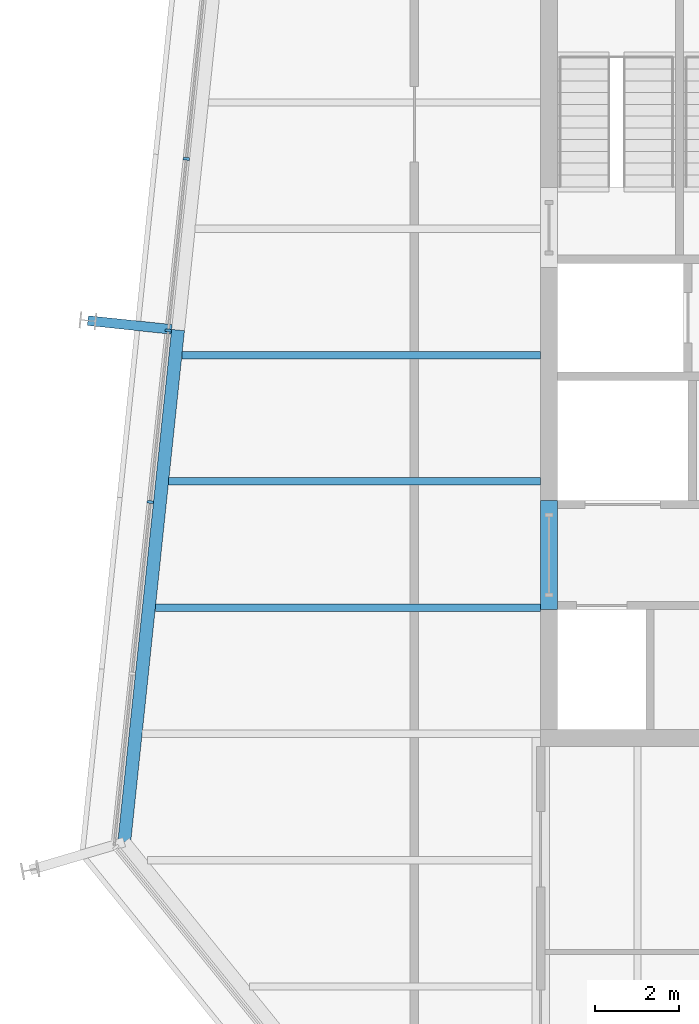
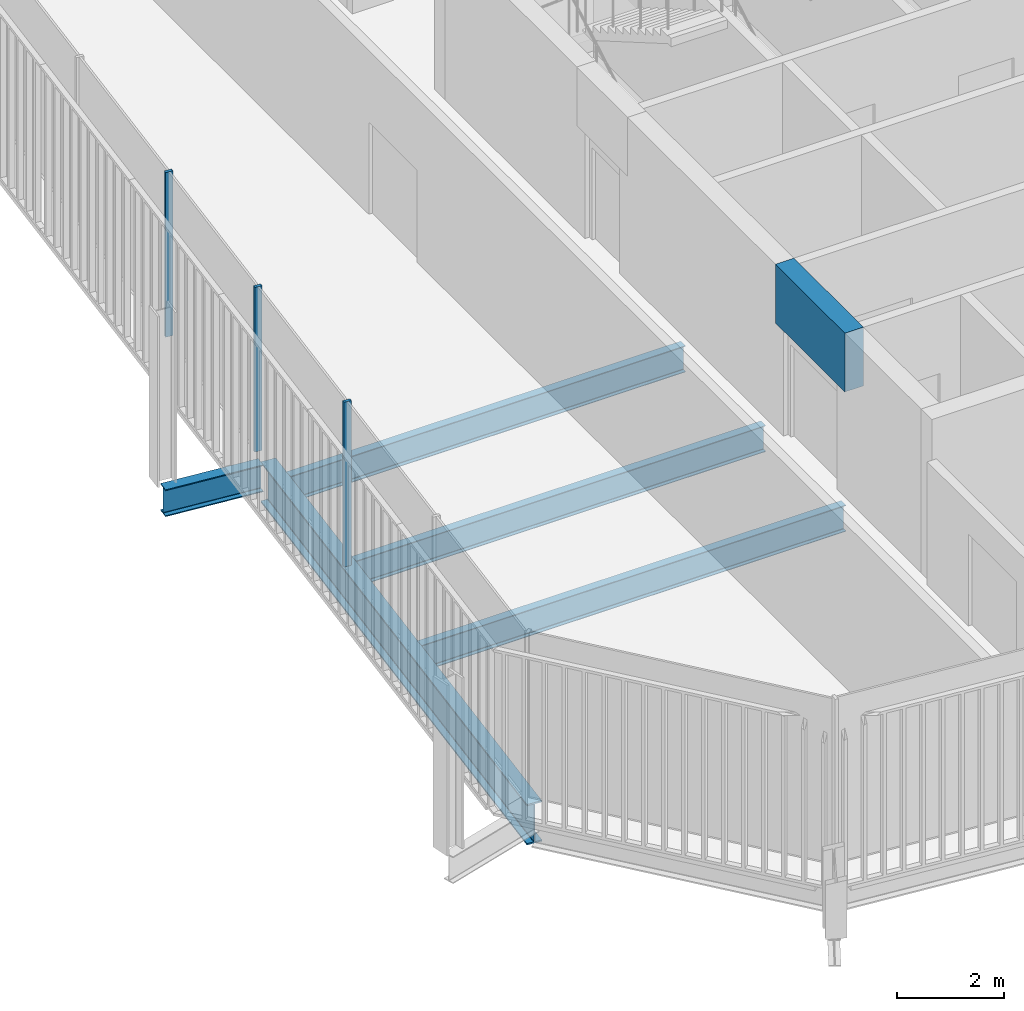
# One storey, part 6 of 20: 6 beams, 3 members, 1 element without a shape of its own.
"""IFC4 building model written with IfcOpenShell, lengths in metres."""

from ifc_helpers import new_model, si_unit, direction, frame, origin, origin_2d, place, context, subcontext, project, spatial, rectangle, i_section, extrude, material, layer, layer_set, material_profile, profile_set, type_object, element, aggregate, save


model = new_model("IFC4")

# Units and contexts
model_context = context("Model", 3, precision=1e-05, world=origin(), true_north=direction((0.0, 1.0)))
body_context = subcontext(model_context, "Body", "Model", "MODEL_VIEW")
ifc_project = project(units=[si_unit("LENGTHUNIT", "METRE"), si_unit("AREAUNIT", "SQUARE_METRE"), si_unit("VOLUMEUNIT", "CUBIC_METRE"), si_unit("PLANEANGLEUNIT", "RADIAN"), si_unit("MASSUNIT", "GRAM", prefix="KILO")], contexts=[model_context])

# Site, building, storey
site_placement = place(None, origin())
site = spatial("IfcSite", under=ifc_project, at=site_placement, CompositionType="ELEMENT")
building_placement = place(site_placement, origin())
building = spatial("IfcBuilding", under=site, at=building_placement, Name="Millrace Tower", CompositionType="ELEMENT")
storey_placement = place(building_placement, frame((0.0, 0.0, 279.89990234375)))
storey = spatial("IfcBuildingStorey", under=building, at=storey_placement, Name="L64", CompositionType="ELEMENT", Elevation=279.89990234375)

# Curtain wall, members
ifc_material_1 = material(Name="Aluminium and glass", Category="aluminium")
ifc_layer = layer(ifc_material_1, 0.14990234375)
ifc_layer_set = layer_set([ifc_layer], Name="Aluminium and glass")
curtain_wall_type = type_object("IfcCurtainWallType", Name="CW-1 office vision curtain wall", PredefinedType="NOTDEFINED", material=ifc_layer_set)
curtain_wall_placement = place(storey_placement, origin())
curtain_wall = element("IfcCurtainWall", 1, at=curtain_wall_placement, inside=storey, type_object=curtain_wall_type, Name="Curtain wall E-F08 L64", PredefinedType="NOTDEFINED")
ifc_material_2 = material(Name="Aluminium", Category="aluminium")
ifc_material_profile_1 = material_profile(ifc_material_2, rectangle(XDim=0.06494140625, YDim=0.14990234375, at=origin_2d()))
ifc_profile_set_1 = profile_set([ifc_material_profile_1], Name="Aluminium")
member_type = type_object("IfcMemberType", Name="CW-1 office vision curtain wall mullion", PredefinedType="MULLION", material=ifc_profile_set_1)
member_1_placement = place(storey_placement, frame((-22.717529296875, 4.664794921875, 0.14013671875), z_axis=(0.0, 0.0, 1.0), x_axis=(-0.104528455196, -0.994521896217, 0.0)))
member_1 = element("IfcMember", 2, at=member_1_placement, type_object=member_type, Name="CW1 mullion E-F08.6", PredefinedType="MULLION", context=body_context, shape_type="SweptSolid", body=[
    extrude(rectangle(XDim=0.06494140625, YDim=0.14990234375, at=origin_2d()), origin(), (0.0, 0.0, 1.0), 3.760009765625),
])
member_2_placement = place(storey_placement, frame((-23.146240234375, 0.587158203125, 0.14013671875), z_axis=(0.0, 0.0, 1.0), x_axis=(-0.104528455196, -0.994521896217, 0.0)))
member_2 = element("IfcMember", 3, at=member_2_placement, type_object=member_type, Name="CW1 mullion E-F08.7", PredefinedType="MULLION", context=body_context, shape_type="SweptSolid", body=[
    extrude(rectangle(XDim=0.06494140625, YDim=0.14990234375, at=origin_2d()), origin(), (0.0, 0.0, 1.0), 3.760009765625),
])
member_3_placement = place(storey_placement, frame((-23.57470703125, -3.490234375, 0.14013671875), z_axis=(0.0, 0.0, 1.0), x_axis=(-0.104528455196, -0.994521896217, 0.0)))
member_3 = element("IfcMember", 4, at=member_3_placement, type_object=member_type, Name="CW1 mullion E-F08.8", PredefinedType="MULLION", context=body_context, shape_type="SweptSolid", body=[
    extrude(rectangle(XDim=0.06494140625, YDim=0.14990234375, at=origin_2d()), origin(), (0.0, 0.0, 1.0), 3.760009765625),
])
aggregate(curtain_wall, [member_1, member_2, member_3])

# Beams
ifc_material_3 = material(Name="Concrete C60", Category="concrete")
ifc_material_profile_2 = material_profile(ifc_material_3, rectangle(XDim=0.39990234375, YDim=1.340087890625, at=origin_2d()))
ifc_profile_set_2 = profile_set([ifc_material_profile_2], Name="Concrete C60")
beam_type_1 = type_object("IfcBeamType", Name="Coupling beam 400 x 1340 Concrete C60, 2000 opening", PredefinedType="BEAM", material=ifc_profile_set_2)
beam_1_placement = place(storey_placement, frame((-14.10009765625, -6.050048828125, 3.070068359375), z_axis=(0.0, 1.0, 0.0), x_axis=(-1.0, 0.0, 0.0)))
element("IfcBeam", 5, at=beam_1_placement, inside=storey, type_object=beam_type_1, Name="Coupling beam W L64", PredefinedType="BEAM", context=body_context, shape_type="SweptSolid", body=[
    extrude(rectangle(XDim=0.39990234375, YDim=1.340087890625, at=origin_2d()), origin(), (0.0, 0.0, 1.0), 2.60009765625),
])
ifc_material_4 = material(Name="Steel ASTM A992 Grade 50", Category="steel")
ifc_material_profile_3 = material_profile(ifc_material_4, i_section(OverallWidth=0.177978515625, OverallDepth=0.599365234375, WebThickness=0.010009765625, FlangeThickness=0.012939453125, FilletRadius=0.012939453125, at=origin_2d()))
ifc_profile_set_3 = profile_set([ifc_material_profile_3], Name="Steel ASTM A992 Grade 50")
beam_type_2 = type_object("IfcBeamType", Name="Floor beam W24x55", PredefinedType="JOIST", material=ifc_profile_set_3)
beam_2_placement = place(storey_placement, frame((-23.4541015625, -6.0, -0.459716796875), z_axis=(1.0, 0.0, 0.0), x_axis=(0.0, 1.0, 0.0)))
element("IfcBeam", 6, at=beam_2_placement, inside=storey, type_object=beam_type_2, Name="BM-E-L64-S1-S009", PredefinedType="JOIST", context=body_context, shape_type="SweptSolid", body=[
    extrude(i_section(OverallWidth=0.177978515625, OverallDepth=0.599365234375, WebThickness=0.010009765625, FlangeThickness=0.012939453125, FilletRadius=0.012939453125, at=origin_2d()), origin(), (0.0, 0.0, 1.0), 9.154052734375),
])
beam_3_placement = place(storey_placement, frame((-23.138916015625, -3.0, -0.459716796875), z_axis=(1.0, 0.0, 0.0), x_axis=(0.0, 1.0, 0.0)))
element("IfcBeam", 7, at=beam_3_placement, inside=storey, type_object=beam_type_2, Name="BM-E-L64-S1-S012", PredefinedType="JOIST", context=body_context, shape_type="SweptSolid", body=[
    extrude(i_section(OverallWidth=0.177978515625, OverallDepth=0.599365234375, WebThickness=0.010009765625, FlangeThickness=0.012939453125, FilletRadius=0.012939453125, at=origin_2d()), origin(), (0.0, 0.0, 1.0), 8.8388671875),
])
beam_4_placement = place(storey_placement, frame((-22.823486328125, 0.0, -0.459716796875), z_axis=(1.0, 0.0, 0.0), x_axis=(0.0, 1.0, 0.0)))
element("IfcBeam", 8, at=beam_4_placement, inside=storey, type_object=beam_type_2, Name="BM-E-L64-S1-S015", PredefinedType="JOIST", context=body_context, shape_type="SweptSolid", body=[
    extrude(i_section(OverallWidth=0.177978515625, OverallDepth=0.599365234375, WebThickness=0.010009765625, FlangeThickness=0.012939453125, FilletRadius=0.012939453125, at=origin_2d()), origin(), (0.0, 0.0, 1.0), 8.5234375),
])
ifc_material_5 = material(Name="Steel ASTM A992 Grade 50", Category="steel")
ifc_material_profile_4 = material_profile(ifc_material_5, i_section(OverallWidth=0.23046875, OverallDepth=0.6171875, WebThickness=0.01318359375, FlangeThickness=0.022216796875, FilletRadius=0.012939453125, at=origin_2d()))
ifc_profile_set_4 = profile_set([ifc_material_profile_4], Name="Steel ASTM A992 Grade 50")
beam_type_3 = type_object("IfcBeamType", Name="Link beam W24x94", PredefinedType="BEAM", material=ifc_profile_set_4)
beam_5_placement = place(storey_placement, frame((-23.068115234375, 0.61181640625, -0.468505859375), z_axis=(-0.994526834051, 0.104481464157, 0.0), x_axis=(-0.104481464157, -0.994526834051, 0.0)))
element("IfcBeam", 9, at=beam_5_placement, inside=storey, type_object=beam_type_3, Name="LNK-E-L64-S1-02", PredefinedType="BEAM", context=body_context, shape_type="SweptSolid", body=[
    extrude(i_section(OverallWidth=0.23046875, OverallDepth=0.6171875, WebThickness=0.01318359375, FlangeThickness=0.022216796875, FilletRadius=0.012939453125, at=origin_2d()), origin(), (0.0, 0.0, 1.0), 2.000244140625),
])
ifc_material_6 = material(Name="Steel ASTM A992 Grade 50", Category="steel")
ifc_material_profile_5 = material_profile(ifc_material_6, i_section(OverallWidth=0.307373046875, OverallDepth=0.927001953125, WebThickness=0.01953125, FlangeThickness=0.031982421875, FilletRadius=0.01904296875, at=origin_2d()))
ifc_profile_set_5 = profile_set([ifc_material_profile_5], Name="Steel ASTM A992 Grade 50")
beam_type_4 = type_object("IfcBeamType", Name="Ring beam medium span W36x194", PredefinedType="SPANDREL", material=ifc_profile_set_5)
beam_6_placement = place(storey_placement, frame((-24.1943359375, -11.57373046875, -0.62353515625), z_axis=(0.104527955888, 0.994521948696, 0.0), x_axis=(-0.994521948696, 0.104527955888, 0.0)))
element("IfcBeam", 10, at=beam_6_placement, inside=storey, type_object=beam_type_4, Name="RNG-E-L64-S1-01", PredefinedType="SPANDREL", context=body_context, shape_type="SweptSolid", body=[
    extrude(i_section(OverallWidth=0.307373046875, OverallDepth=0.927001953125, WebThickness=0.01953125, FlangeThickness=0.031982421875, FilletRadius=0.01904296875, at=origin_2d()), origin(), (0.0, 0.0, 1.0), 12.236572265625),
])

save(model, "model.ifc")
